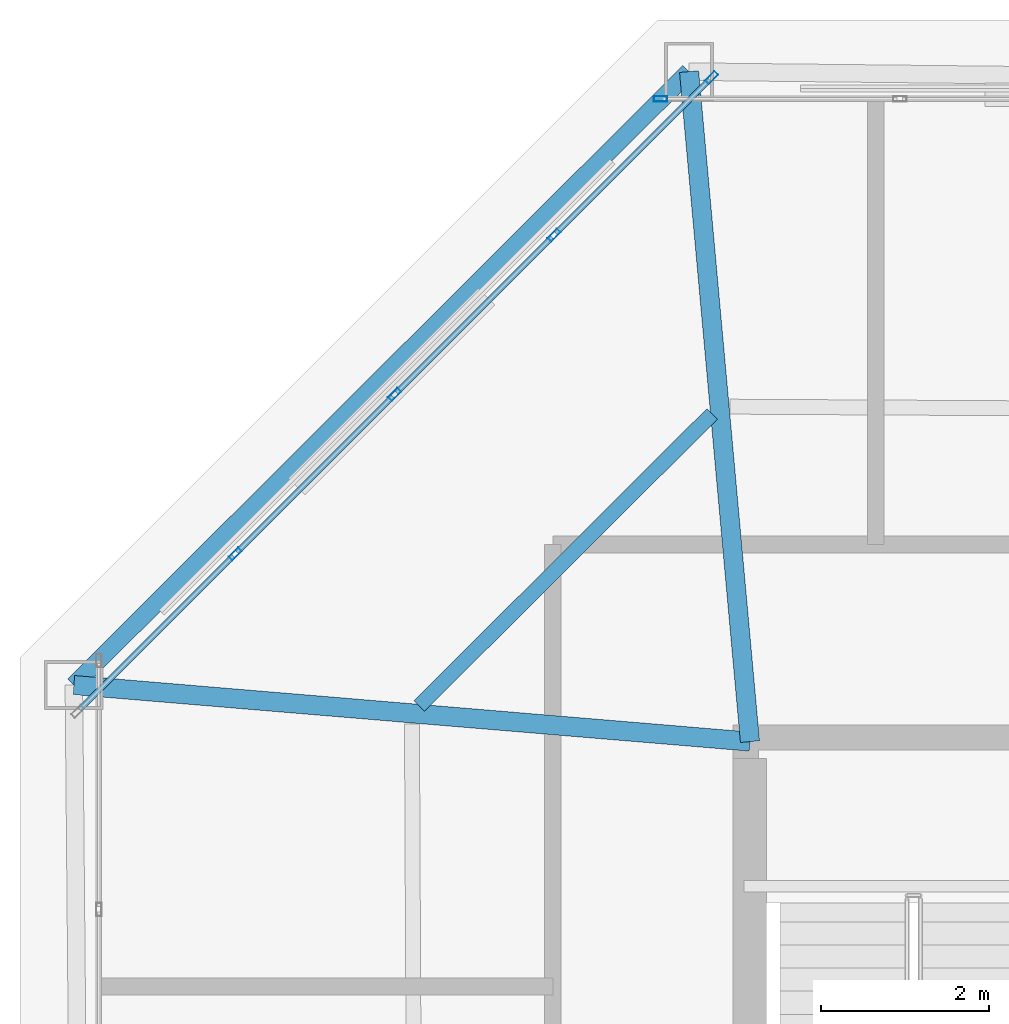
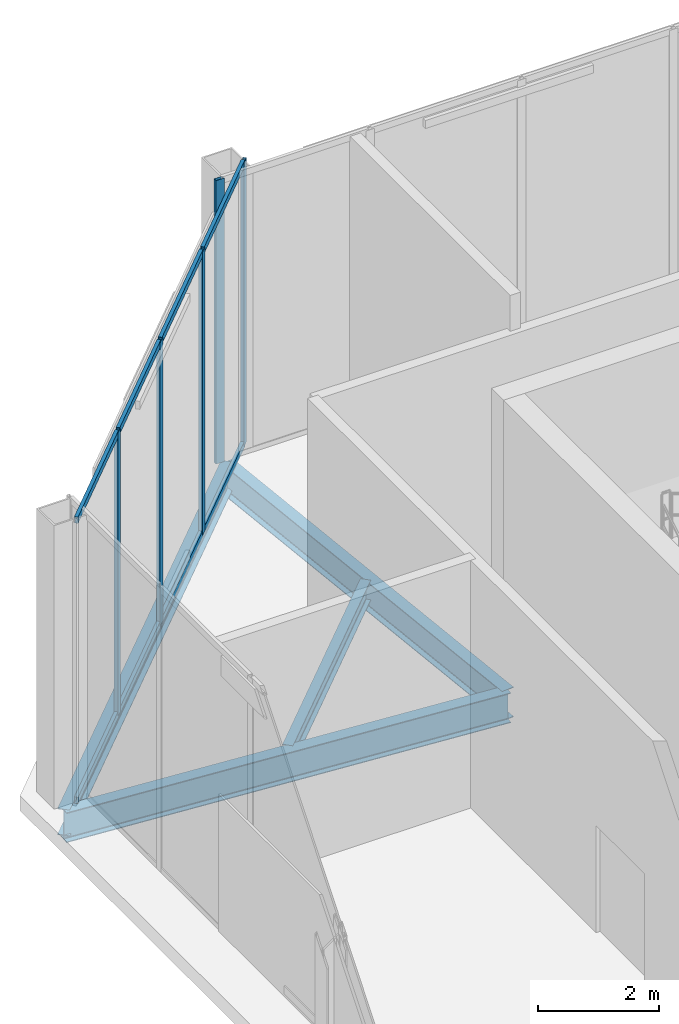
# One storey, part 10 of 20: 13 members, 4 beams, 2 elements without a shape of their own.
"""IFC4 building model written with IfcOpenShell, lengths in metres."""

from ifc_helpers import new_model, si_unit, direction, frame, origin, origin_2d, place, context, subcontext, project, spatial, hollow_rectangle, i_section, extrude, material, layer, layer_set, material_profile, profile_set, type_object, element, aggregate, save


model = new_model("IFC4")

# Units and contexts
model_context = context("Model", 3, precision=1e-05, world=origin(), true_north=direction((0.0, 1.0)))
body_context = subcontext(model_context, "Body", "Model", "MODEL_VIEW")
ifc_project = project(units=[si_unit("LENGTHUNIT", "METRE"), si_unit("AREAUNIT", "SQUARE_METRE"), si_unit("VOLUMEUNIT", "CUBIC_METRE"), si_unit("PLANEANGLEUNIT", "RADIAN"), si_unit("MASSUNIT", "GRAM", prefix="KILO")], contexts=[model_context])

# Site, building, storey
site_placement = place(None, origin())
site = spatial("IfcSite", under=ifc_project, at=site_placement, CompositionType="ELEMENT")
building_placement = place(site_placement, origin())
building = spatial("IfcBuilding", under=site, at=building_placement, Name="Caelvoria Tower", CompositionType="ELEMENT")
storey_placement = place(building_placement, frame((0.0, 0.0, 284.199951171875)))
storey = spatial("IfcBuildingStorey", under=building, at=storey_placement, Name="C1", CompositionType="ELEMENT", Elevation=284.199951171875)

# Curtain wall, member
ifc_material_1 = material(Name="Anodised Bronze Aluminium and Low-E Glass", Category="aluminium")
ifc_layer = layer(ifc_material_1, 0.179931640625, Name="Anodised Bronze Aluminium and Low-E Glass")
ifc_layer_set = layer_set([ifc_layer], Name="CW System 6 Slanted Crown Bronze Screen Facade - Anodised Bronze Aluminium and Low-E Glass")
curtain_wall_type = type_object("IfcCurtainWallType", Name="CW System 6 Slanted Crown Bronze Screen Facade", PredefinedType="NOTDEFINED", material=ifc_layer_set)
curtain_wall_1_placement = place(storey_placement, origin())
curtain_wall_1 = element("IfcCurtainWall", 1, at=curtain_wall_1_placement, inside=storey, type_object=curtain_wall_type, Name="CW-06 Curtain Wall C1-E4", PredefinedType="NOTDEFINED")
ifc_material_2 = material(Name="Anodised Bronze Architectural Aluminium", Category="aluminium")
ifc_material_profile_1 = material_profile(ifc_material_2, hollow_rectangle(XDim=0.06494140625, YDim=0.159912109375, WallThickness=0.00390625, at=origin_2d()), Name="Anodised Bronze Architectural Aluminium")
ifc_profile_set_1 = profile_set([ifc_material_profile_1], Name="CW_MULL_65X160 - Anodised Bronze Architectural Aluminium")
member_type_1 = type_object("IfcMemberType", Name="Curtain Wall Mullion 65x160 Bronze Aluminium", PredefinedType="MULLION", material=ifc_profile_set_1)
member_1_placement = place(storey_placement, frame((35.9326171875, 47.659912109375, 0.0), z_axis=(0.0, 0.0, 1.0), x_axis=(0.0, -1.0, 0.0)))
member_1 = element("IfcMember", 2, at=member_1_placement, type_object=member_type_1, Name="CW-06 mullion 8", PredefinedType="MULLION", context=body_context, shape_type="SweptSolid", body=[
    extrude(hollow_rectangle(XDim=0.06494140625, YDim=0.159912109375, WallThickness=0.00390625, at=origin_2d()), origin(), (0.0, 0.0, 1.0), 5.699951171875),
])
aggregate(curtain_wall_1, [member_1])

# Curtain wall, members
curtain_wall_2_placement = place(storey_placement, origin())
curtain_wall_2 = element("IfcCurtainWall", 3, at=curtain_wall_2_placement, inside=storey, type_object=curtain_wall_type, Name="CW-06 Curtain Wall C1-E5", PredefinedType="NOTDEFINED")
member_2_placement = place(storey_placement, frame((36.541748046875, 47.912353515625, 0.0), z_axis=(0.0, 0.0, 1.0), x_axis=(0.707106781187, -0.707106781187, 0.0)))
member_2 = element("IfcMember", 4, at=member_2_placement, type_object=member_type_1, Name="CW-06 mullion 1", PredefinedType="MULLION", context=body_context, shape_type="SweptSolid", body=[
    extrude(hollow_rectangle(XDim=0.06494140625, YDim=0.159912109375, WallThickness=0.00390625, at=origin_2d()), origin(), (0.0, 0.0, 1.0), 5.699951171875),
])
member_3_placement = place(storey_placement, frame((34.664794921875, 46.035400390625, 0.0), z_axis=(0.0, 0.0, 1.0), x_axis=(0.707106781187, -0.707106781187, 0.0)))
member_3 = element("IfcMember", 5, at=member_3_placement, type_object=member_type_1, Name="CW-06 mullion 2", PredefinedType="MULLION", context=body_context, shape_type="SweptSolid", body=[
    extrude(hollow_rectangle(XDim=0.06494140625, YDim=0.159912109375, WallThickness=0.00390625, at=origin_2d()), origin(), (0.0, 0.0, 1.0), 5.699951171875),
])
member_4_placement = place(storey_placement, frame((32.7646484375, 44.13525390625, 0.0), z_axis=(0.0, 0.0, 1.0), x_axis=(0.707106781187, -0.707106781187, 0.0)))
member_4 = element("IfcMember", 6, at=member_4_placement, type_object=member_type_1, Name="CW-06 mullion 3", PredefinedType="MULLION", context=body_context, shape_type="SweptSolid", body=[
    extrude(hollow_rectangle(XDim=0.06494140625, YDim=0.159912109375, WallThickness=0.00390625, at=origin_2d()), origin(), (0.0, 0.0, 1.0), 5.699951171875),
])
member_5_placement = place(storey_placement, frame((30.86474609375, 42.2353515625, 0.0), z_axis=(0.0, 0.0, 1.0), x_axis=(0.707106781187, -0.707106781187, 0.0)))
member_5 = element("IfcMember", 7, at=member_5_placement, type_object=member_type_1, Name="CW-06 mullion 4", PredefinedType="MULLION", context=body_context, shape_type="SweptSolid", body=[
    extrude(hollow_rectangle(XDim=0.06494140625, YDim=0.159912109375, WallThickness=0.00390625, at=origin_2d()), origin(), (0.0, 0.0, 1.0), 5.699951171875),
])
ifc_material_profile_2 = material_profile(ifc_material_2, hollow_rectangle(XDim=0.06494140625, YDim=0.1298828125, WallThickness=0.00341796875, at=origin_2d()), Name="Anodised Bronze Architectural Aluminium")
ifc_profile_set_2 = profile_set([ifc_material_profile_2], Name="CW_TRAN_65X130 - Anodised Bronze Architectural Aluminium")
member_type_2 = type_object("IfcMemberType", Name="Curtain Wall Transom 65x130 Bronze Aluminium", PredefinedType="USERDEFINED", material=ifc_profile_set_2)
member_6_placement = place(storey_placement, frame((36.518798828125, 47.889404296875, 0.032470703125), z_axis=(-0.707106781187, -0.707106781187, 0.0), x_axis=(0.707106781187, -0.707106781187, 0.0)))
member_6 = element("IfcMember", 8, at=member_6_placement, type_object=member_type_2, Name="CW-06 transom 1.1", ObjectType="TRANSOM", PredefinedType="USERDEFINED", context=body_context, shape_type="SweptSolid", body=[
    extrude(hollow_rectangle(XDim=0.06494140625, YDim=0.1298828125, WallThickness=0.00341796875, at=origin_2d()), origin(), (0.0, 0.0, 1.0), 2.589599609375),
])
member_7_placement = place(storey_placement, frame((36.518798828125, 47.889404296875, 5.66748046875), z_axis=(-0.707106781187, -0.707106781187, 0.0), x_axis=(0.707106781187, -0.707106781187, 0.0)))
member_7 = element("IfcMember", 9, at=member_7_placement, type_object=member_type_2, Name="CW-06 transom 1.2", ObjectType="TRANSOM", PredefinedType="USERDEFINED", context=body_context, shape_type="SweptSolid", body=[
    extrude(hollow_rectangle(XDim=0.06494140625, YDim=0.1298828125, WallThickness=0.00341796875, at=origin_2d()), origin(), (0.0, 0.0, 1.0), 2.589599609375),
])
member_8_placement = place(storey_placement, frame((34.6416015625, 46.01220703125, 0.032470703125), z_axis=(-0.707106781187, -0.707106781187, 0.0), x_axis=(0.707106781187, -0.707106781187, 0.0)))
member_8 = element("IfcMember", 10, at=member_8_placement, type_object=member_type_2, Name="CW-06 transom 2.1", ObjectType="TRANSOM", PredefinedType="USERDEFINED", context=body_context, shape_type="SweptSolid", body=[
    extrude(hollow_rectangle(XDim=0.06494140625, YDim=0.1298828125, WallThickness=0.00341796875, at=origin_2d()), origin(), (0.0, 0.0, 1.0), 2.6220703125),
])
member_9_placement = place(storey_placement, frame((34.6416015625, 46.01220703125, 5.66748046875), z_axis=(-0.707106781187, -0.707106781187, 0.0), x_axis=(0.707106781187, -0.707106781187, 0.0)))
member_9 = element("IfcMember", 11, at=member_9_placement, type_object=member_type_2, Name="CW-06 transom 2.2", ObjectType="TRANSOM", PredefinedType="USERDEFINED", context=body_context, shape_type="SweptSolid", body=[
    extrude(hollow_rectangle(XDim=0.06494140625, YDim=0.1298828125, WallThickness=0.00341796875, at=origin_2d()), origin(), (0.0, 0.0, 1.0), 2.6220703125),
])
member_10_placement = place(storey_placement, frame((32.74169921875, 44.1123046875, 0.032470703125), z_axis=(-0.707106781187, -0.707106781187, 0.0), x_axis=(0.707106781187, -0.707106781187, 0.0)))
member_10 = element("IfcMember", 12, at=member_10_placement, type_object=member_type_2, Name="CW-06 transom 3.1", ObjectType="TRANSOM", PredefinedType="USERDEFINED", context=body_context, shape_type="SweptSolid", body=[
    extrude(hollow_rectangle(XDim=0.06494140625, YDim=0.1298828125, WallThickness=0.00341796875, at=origin_2d()), origin(), (0.0, 0.0, 1.0), 2.6220703125),
])
member_11_placement = place(storey_placement, frame((32.74169921875, 44.1123046875, 5.66748046875), z_axis=(-0.707106781187, -0.707106781187, 0.0), x_axis=(0.707106781187, -0.707106781187, 0.0)))
member_11 = element("IfcMember", 13, at=member_11_placement, type_object=member_type_2, Name="CW-06 transom 3.2", ObjectType="TRANSOM", PredefinedType="USERDEFINED", context=body_context, shape_type="SweptSolid", body=[
    extrude(hollow_rectangle(XDim=0.06494140625, YDim=0.1298828125, WallThickness=0.00341796875, at=origin_2d()), origin(), (0.0, 0.0, 1.0), 2.6220703125),
])
member_12_placement = place(storey_placement, frame((30.841796875, 42.21240234375, 0.032470703125), z_axis=(-0.707106781187, -0.707106781187, 0.0), x_axis=(0.707106781187, -0.707106781187, 0.0)))
member_12 = element("IfcMember", 14, at=member_12_placement, type_object=member_type_2, Name="CW-06 transom 4.1", ObjectType="TRANSOM", PredefinedType="USERDEFINED", context=body_context, shape_type="SweptSolid", body=[
    extrude(hollow_rectangle(XDim=0.06494140625, YDim=0.1298828125, WallThickness=0.00341796875, at=origin_2d()), origin(), (0.0, 0.0, 1.0), 2.589599609375),
])
member_13_placement = place(storey_placement, frame((30.841796875, 42.21240234375, 5.66748046875), z_axis=(-0.707106781187, -0.707106781187, 0.0), x_axis=(0.707106781187, -0.707106781187, 0.0)))
member_13 = element("IfcMember", 15, at=member_13_placement, type_object=member_type_2, Name="CW-06 transom 4.2", ObjectType="TRANSOM", PredefinedType="USERDEFINED", context=body_context, shape_type="SweptSolid", body=[
    extrude(hollow_rectangle(XDim=0.06494140625, YDim=0.1298828125, WallThickness=0.00341796875, at=origin_2d()), origin(), (0.0, 0.0, 1.0), 2.589599609375),
])
aggregate(curtain_wall_2, [member_2, member_3, member_4, member_5, member_6, member_7, member_8, member_9, member_10, member_11, member_12, member_13])

# Beams
ifc_material_3 = material(Name="Structural Steel ASTM A992 Gr.50", Category="steel")
ifc_material_profile_3 = material_profile(ifc_material_3, i_section(OverallWidth=0.22802734375, OverallDepth=0.60302734375, WebThickness=0.010498046875, FlangeThickness=0.014892578125, FilletRadius=0.01806640625, at=origin_2d()), Name="Structural Steel ASTM A992 Gr.50")
ifc_profile_set_3 = profile_set([ifc_material_profile_3], Name="W610X101 - Structural Steel ASTM A992 Gr.50")
beam_type_1 = type_object("IfcBeamType", Name="Primary Floor Girder W610X101", PredefinedType="BEAM", material=ifc_profile_set_3)
beam_1_placement = place(storey_placement, frame((37.0, 40.0, -0.6015625), z_axis=(-0.090527509595, 0.995893955201, 0.0), x_axis=(-0.995893955201, -0.090527509595, 0.0)))
element("IfcBeam", 16, at=beam_1_placement, inside=storey, type_object=beam_type_1, Name="Primary Floor Girder C1-08", PredefinedType="BEAM", context=body_context, shape_type="SweptSolid", body=[
    extrude(i_section(OverallWidth=0.22802734375, OverallDepth=0.60302734375, WebThickness=0.010498046875, FlangeThickness=0.014892578125, FilletRadius=0.01806640625, at=origin_2d()), origin(), (0.0, 0.0, 1.0), 8.017822265625),
])
beam_2_placement = place(storey_placement, frame((37.0, 40.0, -0.6015625), z_axis=(-0.996524486988, 0.083300341138, 0.0), x_axis=(-0.083300341138, -0.996524486988, 0.0)))
element("IfcBeam", 17, at=beam_2_placement, inside=storey, type_object=beam_type_1, Name="Primary Floor Girder C1-09", PredefinedType="BEAM", context=body_context, shape_type="SweptSolid", body=[
    extrude(i_section(OverallWidth=0.22802734375, OverallDepth=0.60302734375, WebThickness=0.010498046875, FlangeThickness=0.014892578125, FilletRadius=0.01806640625, at=origin_2d()), origin(), (0.0, 0.0, 1.0), 8.086181640625),
])
ifc_material_profile_4 = material_profile(ifc_material_3, i_section(OverallWidth=0.177978515625, OverallDepth=0.406982421875, WebThickness=0.0078125, FlangeThickness=0.0126953125, FilletRadius=0.013916015625, at=origin_2d()), Name="Structural Steel ASTM A992 Gr.50")
ifc_profile_set_4 = profile_set([ifc_material_profile_4], Name="W410X60 - Structural Steel ASTM A992 Gr.50")
beam_type_2 = type_object("IfcBeamType", Name="Secondary Floor Beam W410X60", PredefinedType="BEAM", material=ifc_profile_set_4)
beam_3_placement = place(storey_placement, frame((36.548583984375, 43.904296875, -0.50341796875), z_axis=(-0.708121759504, -0.706090343877, 0.0), x_axis=(0.706090343877, -0.708121759504, 0.0)))
element("IfcBeam", 18, at=beam_3_placement, inside=storey, type_object=beam_type_2, Name="Secondary Floor Beam C1-08", PredefinedType="BEAM", context=body_context, shape_type="SweptSolid", body=[
    extrude(i_section(OverallWidth=0.177978515625, OverallDepth=0.406982421875, WebThickness=0.0078125, FlangeThickness=0.0126953125, FilletRadius=0.013916015625, at=origin_2d()), origin(), (0.0, 0.0, 1.0), 4.927490234375),
])
ifc_material_profile_5 = material_profile(ifc_material_3, i_section(OverallWidth=0.208984375, OverallDepth=0.532958984375, WebThickness=0.01025390625, FlangeThickness=0.015625, FilletRadius=0.01611328125, at=origin_2d()), Name="Structural Steel ASTM A992 Gr.50")
ifc_profile_set_5 = profile_set([ifc_material_profile_5], Name="W530X92 - Structural Steel ASTM A992 Gr.50")
beam_type_3 = type_object("IfcBeamType", Name="Upper Zone Spandrel W530X92", PredefinedType="BEAM", material=ifc_profile_set_5)
beam_4_placement = place(storey_placement, frame((36.274169921875, 47.98486328125, -0.56640625), z_axis=(-0.708119910977, -0.706092197717, 0.0), x_axis=(0.706092197717, -0.708119910977, 0.0)))
element("IfcBeam", 19, at=beam_4_placement, inside=storey, type_object=beam_type_3, Name="Perimeter Spandrel Girder C1-08", PredefinedType="BEAM", context=body_context, shape_type="SweptSolid", body=[
    extrude(i_section(OverallWidth=0.208984375, OverallDepth=0.532958984375, WebThickness=0.01025390625, FlangeThickness=0.015625, FilletRadius=0.01611328125, at=origin_2d()), origin(), (0.0, 0.0, 1.0), 10.3544921875),
])

save(model, "model.ifc")
